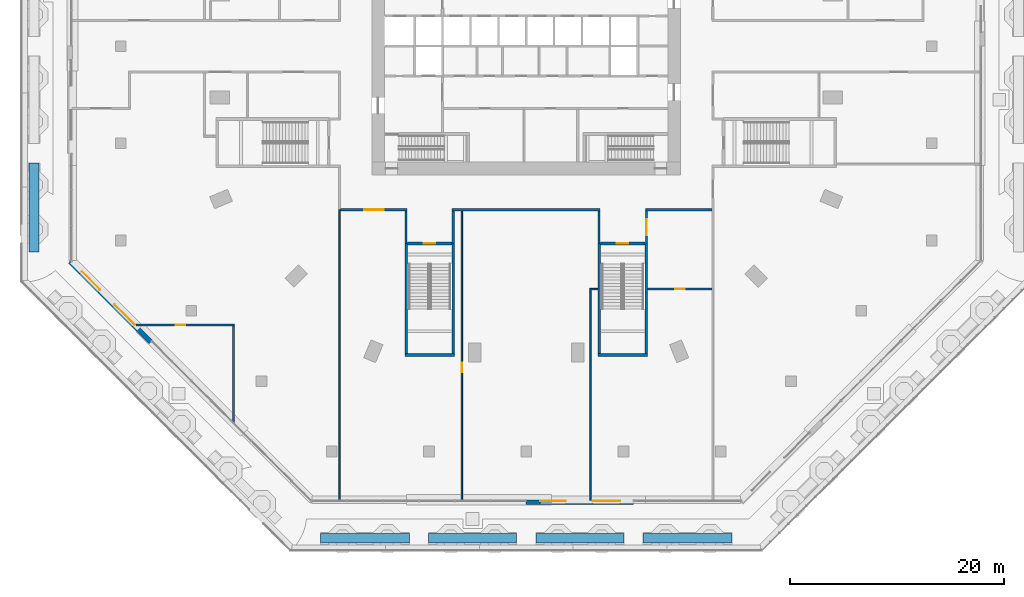
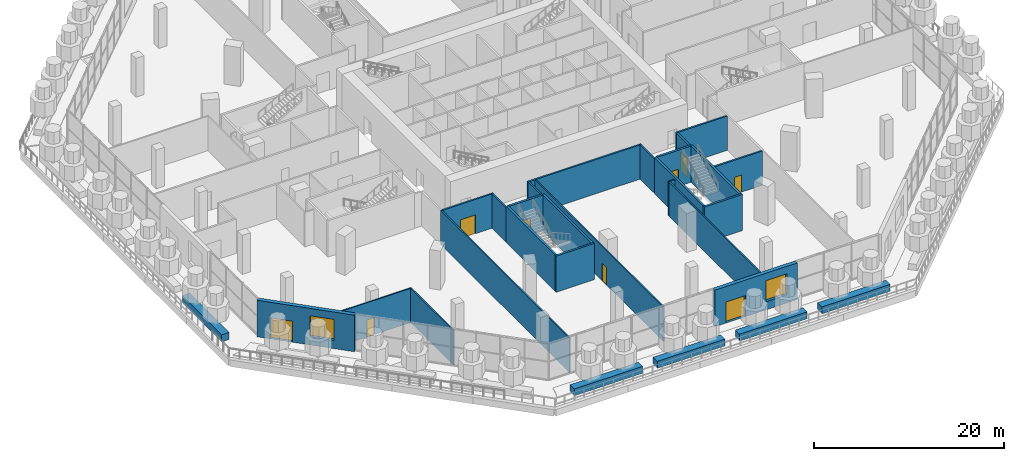
# One storey, part 21 of 32: 29 walls, 9 doors, 2 windows, 11 openings.
"""IFC4 building model written with IfcOpenShell, lengths in metres."""

from ifc_helpers import new_model, si_unit, direction, frame, frame_2d, origin, place, context, subcontext, project, spatial, rectangle, extrude, material, layer, layer_set, type_object, element, fill, save


model = new_model("IFC4")

# Units and contexts
model_context = context("Model", 3, precision=1e-05, world=origin(), true_north=direction((0.0, 1.0)))
body_context = subcontext(model_context, "Body", "Model", "MODEL_VIEW")
ifc_project = project(units=[si_unit("LENGTHUNIT", "METRE"), si_unit("AREAUNIT", "SQUARE_METRE"), si_unit("VOLUMEUNIT", "CUBIC_METRE"), si_unit("PLANEANGLEUNIT", "RADIAN"), si_unit("MASSUNIT", "GRAM", prefix="KILO")], contexts=[model_context])

# Site, building, storey
site_placement = place(None, origin())
site = spatial("IfcSite", under=ifc_project, at=site_placement, CompositionType="ELEMENT")
building_placement = place(site_placement, origin())
building = spatial("IfcBuilding", under=site, at=building_placement, Name="Msitu Wima Residences", CompositionType="ELEMENT")
storey_placement = place(building_placement, frame((0.0, 0.0, 6.0)))
storey = spatial("IfcBuildingStorey", under=building, at=storey_placement, Name="L01", CompositionType="ELEMENT", Elevation=6.0)

# Wall, openings, door, window
ifc_material_1 = material(Name="Brick (red buff mix), cavity wall of two leaves", Category="masonry")
ifc_layer_1 = layer(ifc_material_1, 0.449951171875)
ifc_layer_set_1 = layer_set([ifc_layer_1], Name="Brick (red buff mix), cavity wall of two leaves")
wall_type_1 = type_object("IfcWallType", Name="Brick infill wall BW450 podium", PredefinedType="ELEMENTEDWALL", material=ifc_layer_set_1)
wall_1_placement = place(storey_placement, frame((-42.52490234375, -20.0849609375, 0.0), z_axis=(0.0, 0.0, 1.0), x_axis=(0.707106781187, -0.707106781187, 0.0)))
wall_1 = element("IfcWall", 1, at=wall_1_placement, inside=storey, type_object=wall_type_1, Name="Brick infill wall L01 SW0", PredefinedType="ELEMENTEDWALL", context=body_context, shape_type="SweptSolid", body=[
    extrude(rectangle(XDim=10.609375, YDim=0.449951171875, at=frame_2d((5.3046875, 0.0))), origin(), (0.0, 0.0, 1.0), 4.699951171875),
])
opening_1_placement = place(wall_1_placement, frame((1.452392578125, 0.0, 0.0)))
opening_1 = element("IfcOpeningElement", 2, at=opening_1_placement, cuts=wall_1, Name="Opening D01.007", PredefinedType="OPENING", context=body_context, shape_type="SweptSolid", body=[
    extrude(rectangle(XDim=2.39990234375, YDim=2.699951171875, at=frame_2d((1.199951171875, 1.35009765625))), frame((0.0, 0.23486328125, 0.0), z_axis=(0.0, -1.0, 0.0), x_axis=(1.0, 0.0, 0.0)), (0.0, 0.0, 1.0), 0.469970703125),
])
opening_2_placement = place(wall_1_placement, frame((5.754638671875, 0.0, 1.050048828125)))
opening_2 = element("IfcOpeningElement", 3, at=opening_2_placement, cuts=wall_1, Name="Opening W01.007", PredefinedType="OPENING", context=body_context, shape_type="SweptSolid", body=[
    extrude(rectangle(XDim=2.639892578125, YDim=2.699951171875, at=frame_2d((1.31982421875, 1.35009765625))), frame((0.0, 0.23486328125, 0.0), z_axis=(0.0, -1.0, 0.0), x_axis=(1.0, 0.0, 0.0)), (0.0, 0.0, 1.0), 0.469970703125),
])
ifc_material_2 = material(Name="Anodised aluminium, bronze finish, clear low-emissivity double glazing", Category="aluminium")
door_type_1 = type_object("IfcDoorType", Name="Balcony door D2400x2700", OperationType="SLIDING_TO_LEFT", PredefinedType="DOOR", material=ifc_material_2)
door_1_placement = place(opening_1_placement, origin())
door_1 = element("IfcDoor", 4, at=door_1_placement, inside=storey, type_object=door_type_1, Name="Terrace door L01 SW0", OperationType="SINGLE_SWING_LEFT", OverallHeight=2.699951171875, OverallWidth=2.39990234375, PredefinedType="DOOR", context=body_context, shape_type="SweptSolid", body=[
    extrude(rectangle(XDim=2.39990234375, YDim=2.699951171875, at=frame_2d((1.199951171875, 1.35009765625))), frame((0.0, 0.1298828125, 0.0), z_axis=(0.0, -1.0, 0.0), x_axis=(1.0, 0.0, 0.0)), (0.0, 0.0, 1.0), 0.050048828125),
])
fill(opening_1, door_1)
window_type_1 = type_object("IfcWindowType", Name="Window W2640x2700", PartitioningType="DOUBLE_PANEL_VERTICAL", PredefinedType="WINDOW", material=ifc_material_2)
window_1_placement = place(opening_2_placement, origin())
window_1 = element("IfcWindow", 5, at=window_1_placement, inside=storey, type_object=window_type_1, Name="Window L01 SW0.2a", OverallHeight=2.699951171875, OverallWidth=2.639892578125, PartitioningType="SINGLE_PANEL", PredefinedType="WINDOW", context=body_context, shape_type="SweptSolid", body=[
    extrude(rectangle(XDim=2.639892578125, YDim=2.699951171875, at=frame_2d((1.31982421875, 1.35009765625))), frame((0.0, 0.135009765625, 0.0), z_axis=(0.0, -1.0, 0.0), x_axis=(1.0, 0.0, 0.0)), (0.0, 0.0, 1.0), 0.06005859375),
])
fill(opening_2, window_1)

wall_2_placement = place(storey_placement, frame((0.0, -42.52490234375, 0.0), z_axis=(0.0, 0.0, 1.0), x_axis=(1.0, 0.0, 0.0)))
wall_2 = element("IfcWall", 6, at=wall_2_placement, inside=storey, type_object=wall_type_1, Name="Brick infill wall L01 S2", PredefinedType="ELEMENTEDWALL", context=body_context, shape_type="SweptSolid", body=[
    extrude(rectangle(XDim=9.995849609375, YDim=0.449951171875, at=frame_2d((4.998046875, 0.0))), origin(), (0.0, 0.0, 1.0), 4.699951171875),
])
opening_3_placement = place(wall_2_placement, frame((1.299072265625, 0.0, 0.0)))
opening_3 = element("IfcOpeningElement", 7, at=opening_3_placement, cuts=wall_2, Name="Opening D01.005", PredefinedType="OPENING", context=body_context, shape_type="SweptSolid", body=[
    extrude(rectangle(XDim=2.39990234375, YDim=2.699951171875, at=frame_2d((1.199951171875, 1.35009765625))), frame((0.0, 0.23486328125, 0.0), z_axis=(0.0, -1.0, 0.0), x_axis=(1.0, 0.0, 0.0)), (0.0, 0.0, 1.0), 0.469970703125),
])
opening_4_placement = place(wall_2_placement, frame((6.2001953125, 0.0, 1.050048828125)))
opening_4 = element("IfcOpeningElement", 8, at=opening_4_placement, cuts=wall_2, Name="Opening W01.005", PredefinedType="OPENING", context=body_context, shape_type="SweptSolid", body=[
    extrude(rectangle(XDim=2.550048828125, YDim=2.699951171875, at=frame_2d((1.27490234375, 1.35009765625))), frame((0.0, 0.23486328125, 0.0), z_axis=(0.0, -1.0, 0.0), x_axis=(1.0, 0.0, 0.0)), (0.0, 0.0, 1.0), 0.469970703125),
])
door_2_placement = place(opening_3_placement, origin())
door_2 = element("IfcDoor", 9, at=door_2_placement, inside=storey, type_object=door_type_1, Name="Terrace door L01 S2", OperationType="SINGLE_SWING_LEFT", OverallHeight=2.699951171875, OverallWidth=2.39990234375, PredefinedType="DOOR", context=body_context, shape_type="SweptSolid", body=[
    extrude(rectangle(XDim=2.39990234375, YDim=2.699951171875, at=frame_2d((1.199951171875, 1.35009765625))), frame((0.0, 0.1298828125, 0.0), z_axis=(0.0, -1.0, 0.0), x_axis=(1.0, 0.0, 0.0)), (0.0, 0.0, 1.0), 0.050048828125),
])
fill(opening_3, door_2)
window_type_2 = type_object("IfcWindowType", Name="Window W2550x2700", PartitioningType="DOUBLE_PANEL_VERTICAL", PredefinedType="WINDOW", material=ifc_material_2)
window_2_placement = place(opening_4_placement, origin())
window_2 = element("IfcWindow", 10, at=window_2_placement, inside=storey, type_object=window_type_2, Name="Window L01 S2.2b", OverallHeight=2.699951171875, OverallWidth=2.550048828125, PartitioningType="SINGLE_PANEL", PredefinedType="WINDOW", context=body_context, shape_type="SweptSolid", body=[
    extrude(rectangle(XDim=2.550048828125, YDim=2.699951171875, at=frame_2d((1.27490234375, 1.35009765625))), frame((0.0, 0.135009765625, 0.0), z_axis=(0.0, -1.0, 0.0), x_axis=(1.0, 0.0, 0.0)), (0.0, 0.0, 1.0), 0.06005859375),
])
fill(opening_4, window_2)

# Wall, opening, door
ifc_material_3 = material(Name="Plaster")
ifc_layer_2 = layer(ifc_material_3, 0.011962890625, Name="Plaster")
ifc_material_4 = material(Name="Concrete blockwork", Category="masonry")
ifc_layer_3 = layer(ifc_material_4, 0.176025390625, Name="Concrete blockwork")
ifc_layer_4 = layer(ifc_material_3, 0.011962890625, Name="Plaster")
ifc_layer_set_2 = layer_set([ifc_layer_2, ifc_layer_3, ifc_layer_4], Name="Concrete blockwork")
wall_type_2 = type_object("IfcWallType", Name="Corridor wall FW200", PredefinedType="PARTITIONING", material=ifc_layer_set_2)
wall_3_placement = place(storey_placement, frame((-17.300048828125, -15.2568359375, 0.0), z_axis=(0.0, 0.0, 1.0), x_axis=(1.0, 0.0, 0.0)))
wall_3 = element("IfcWall", 11, at=wall_3_placement, inside=storey, type_object=wall_type_2, Name="Corridor wall", PredefinedType="PARTITIONING", context=body_context, shape_type="SweptSolid", body=[
    extrude(rectangle(XDim=6.199951171875, YDim=0.199951171875, at=frame_2d((3.10009765625, 0.0))), origin(), (0.0, 0.0, 1.0), 4.39990234375),
])
opening_5_placement = place(wall_3_placement, frame((2.199951171875, 0.0, 0.0)))
opening_5 = element("IfcOpeningElement", 12, at=opening_5_placement, cuts=wall_3, Name="Opening D01.046", PredefinedType="OPENING", context=body_context, shape_type="SweptSolid", body=[
    extrude(rectangle(XDim=1.800048828125, YDim=2.39990234375, at=frame_2d((0.89990234375, 1.199951171875))), frame((0.0, 0.10986328125, 0.0), z_axis=(0.0, -1.0, 0.0), x_axis=(1.0, 0.0, 0.0)), (0.0, 0.0, 1.0), 0.219970703125),
])
ifc_material_5 = material(Name="Glazed aluminium door", Category="aluminium")
door_type_2 = type_object("IfcDoorType", Name="Shopfront door D11 1800x2400", OperationType="DOUBLE_DOOR_SINGLE_SWING", PredefinedType="DOOR", material=ifc_material_5)
door_3_placement = place(opening_5_placement, origin())
door_3 = element("IfcDoor", 13, at=door_3_placement, inside=storey, type_object=door_type_2, Name="Shopfront door", OperationType="DOUBLE_DOOR_SINGLE_SWING", OverallHeight=2.39990234375, OverallWidth=1.800048828125, PredefinedType="DOOR", context=body_context, shape_type="SweptSolid", body=[
    extrude(rectangle(XDim=1.800048828125, YDim=2.39990234375, at=frame_2d((0.89990234375, 1.199951171875))), frame((0.0, 0.02490234375, 0.0), z_axis=(0.0, -1.0, 0.0), x_axis=(1.0, 0.0, 0.0)), (0.0, 0.0, 1.0), 0.050048828125),
])
fill(opening_5, door_3)

# Walls
for number, where, z_axis, x_axis, name in (
    (14, (-11.199951171875, -18.39990234375, 0.0), (0.0, 0.0, 1.0), (0.0, 1.0, 0.0), "Corridor wall"),
    (15, (-6.800048828125, -18.39990234375, 0.0), (0.0, 0.0, 1.0), (0.0, 1.0, 0.0), "Corridor wall"),
):
    element("IfcWall", number, at=place(storey_placement, frame(where, z_axis=z_axis, x_axis=x_axis)), inside=storey, type_object=wall_type_2, Name=name, PredefinedType="PARTITIONING", context=body_context, shape_type="SweptSolid", body=[
        extrude(rectangle(XDim=3.043212890625, YDim=0.199951171875, at=frame_2d((1.521484375, 0.0))), origin(), (0.0, 0.0, 1.0), 4.39990234375),
    ])
wall_4_placement = place(storey_placement, frame((-6.89990234375, -15.2568359375, 0.0), z_axis=(0.0, 0.0, 1.0), x_axis=(1.0, 0.0, 0.0)))
element("IfcWall", 16, at=wall_4_placement, inside=storey, type_object=wall_type_2, Name="Corridor wall", PredefinedType="PARTITIONING", context=body_context, shape_type="SweptSolid", body=[
    extrude(rectangle(XDim=13.7998046875, YDim=0.199951171875, at=frame_2d((6.89990234375, 0.0))), origin(), (0.0, 0.0, 1.0), 4.39990234375),
])
wall_5_placement = place(storey_placement, frame((6.800048828125, -18.39990234375, 0.0), z_axis=(0.0, 0.0, 1.0), x_axis=(0.0, 1.0, 0.0)))
element("IfcWall", 17, at=wall_5_placement, inside=storey, type_object=wall_type_2, Name="Corridor wall", PredefinedType="PARTITIONING", context=body_context, shape_type="SweptSolid", body=[
    extrude(rectangle(XDim=3.043212890625, YDim=0.199951171875, at=frame_2d((1.521484375, 0.0))), origin(), (0.0, 0.0, 1.0), 4.39990234375),
])

# Wall, opening, door
wall_6_placement = place(storey_placement, frame((11.324951171875, -22.65576171875, 0.0), z_axis=(0.0, 0.0, 1.0), x_axis=(1.0, 0.0, 0.0)))
wall_6 = element("IfcWall", 18, at=wall_6_placement, inside=storey, type_object=wall_type_2, Name="Corridor wall", PredefinedType="PARTITIONING", context=body_context, shape_type="SweptSolid", body=[
    extrude(rectangle(XDim=5.97509765625, YDim=0.199951171875, at=frame_2d((2.987548828125, 0.0))), origin(), (0.0, 0.0, 1.0), 4.39990234375),
])
opening_6_placement = place(wall_6_placement, frame((2.550048828125, 0.0, 0.0)))
opening_6 = element("IfcOpeningElement", 19, at=opening_6_placement, cuts=wall_6, Name="Opening D01.049", PredefinedType="OPENING", context=body_context, shape_type="SweptSolid", body=[
    extrude(rectangle(XDim=0.89990234375, YDim=2.199951171875, at=frame_2d((0.449951171875, 1.10009765625))), frame((0.0, 0.10986328125, 0.0), z_axis=(0.0, -1.0, 0.0), x_axis=(1.0, 0.0, 0.0)), (0.0, 0.0, 1.0), 0.219970703125),
])
ifc_material_6 = material(Name="Timber flush door", Category="wood")
door_type_3 = type_object("IfcDoorType", Name="Service door D05 900x2200", OperationType="SINGLE_SWING_LEFT", PredefinedType="DOOR", material=ifc_material_6)
door_4_placement = place(opening_6_placement, origin())
door_4 = element("IfcDoor", 20, at=door_4_placement, inside=storey, type_object=door_type_3, Name="Service door", OperationType="SINGLE_SWING_LEFT", OverallHeight=2.199951171875, OverallWidth=0.89990234375, PredefinedType="DOOR", context=body_context, shape_type="SweptSolid", body=[
    extrude(rectangle(XDim=0.89990234375, YDim=2.199951171875, at=frame_2d((0.449951171875, 1.10009765625))), frame((0.0, 0.02490234375, 0.0), z_axis=(0.0, -1.0, 0.0), x_axis=(1.0, 0.0, 0.0)), (0.0, 0.0, 1.0), 0.050048828125),
])
fill(opening_6, door_4)

wall_7_placement = place(storey_placement, frame((11.199951171875, -18.39990234375, 0.0), z_axis=(0.0, 0.0, 1.0), x_axis=(0.0, 1.0, 0.0)))
wall_7 = element("IfcWall", 21, at=wall_7_placement, inside=storey, type_object=wall_type_2, Name="Corridor wall", PredefinedType="PARTITIONING", context=body_context, shape_type="SweptSolid", body=[
    extrude(rectangle(XDim=3.043212890625, YDim=0.199951171875, at=frame_2d((1.521484375, 0.0))), origin(), (0.0, 0.0, 1.0), 4.39990234375),
])
opening_7_placement = place(wall_7_placement, frame((0.75, 0.0, 0.0)))
opening_7 = element("IfcOpeningElement", 22, at=opening_7_placement, cuts=wall_7, Name="Opening D01.048", PredefinedType="OPENING", context=body_context, shape_type="SweptSolid", body=[
    extrude(rectangle(XDim=1.5, YDim=2.39990234375, at=frame_2d((0.75, 1.199951171875))), frame((0.0, 0.10986328125, 0.0), z_axis=(0.0, -1.0, 0.0), x_axis=(1.0, 0.0, 0.0)), (0.0, 0.0, 1.0), 0.219970703125),
])
ifc_material_7 = material(Name="Steel framed glazed door, fire resisting", Category="steel")
door_type_4 = type_object("IfcDoorType", Name="Lobby door D07 1500x2400", OperationType="DOUBLE_DOOR_SINGLE_SWING", PredefinedType="DOOR", material=ifc_material_7)
door_5_placement = place(opening_7_placement, origin())
door_5 = element("IfcDoor", 23, at=door_5_placement, inside=storey, type_object=door_type_4, Name="Lobby door", OperationType="DOUBLE_DOOR_SINGLE_SWING", OverallHeight=2.39990234375, OverallWidth=1.5, PredefinedType="DOOR", context=body_context, shape_type="SweptSolid", body=[
    extrude(rectangle(XDim=1.5, YDim=2.39990234375, at=frame_2d((0.75, 1.199951171875))), frame((0.0, 0.02490234375, 0.0), z_axis=(0.0, -1.0, 0.0), x_axis=(1.0, 0.0, 0.0)), (0.0, 0.0, 1.0), 0.050048828125),
])
fill(opening_7, door_5)

# Wall
wall_8_placement = place(storey_placement, frame((11.10009765625, -15.2568359375, 0.0), z_axis=(0.0, 0.0, 1.0), x_axis=(1.0, 0.0, 0.0)))
element("IfcWall", 24, at=wall_8_placement, inside=storey, type_object=wall_type_2, Name="Corridor wall", PredefinedType="PARTITIONING", context=body_context, shape_type="SweptSolid", body=[
    extrude(rectangle(XDim=6.199951171875, YDim=0.199951171875, at=frame_2d((3.10009765625, 0.0))), origin(), (0.0, 0.0, 1.0), 4.39990234375),
])

# Wall, opening, door
ifc_layer_5 = layer(ifc_material_3, 0.011962890625, Name="Plaster")
ifc_layer_6 = layer(ifc_material_4, 0.1259765625, Name="Concrete blockwork")
ifc_layer_7 = layer(ifc_material_3, 0.011962890625, Name="Plaster")
ifc_layer_set_3 = layer_set([ifc_layer_5, ifc_layer_6, ifc_layer_7], Name="Concrete blockwork")
wall_type_3 = type_object("IfcWallType", Name="Partition PW150", PredefinedType="PARTITIONING", material=ifc_layer_set_3)
wall_9_placement = place(storey_placement, frame((-36.36962890625, -26.0, 0.0), z_axis=(0.0, 0.0, 1.0), x_axis=(1.0, 0.0, 0.0)))
wall_9 = element("IfcWall", 25, at=wall_9_placement, inside=storey, type_object=wall_type_3, Name="Partition", PredefinedType="PARTITIONING", context=body_context, shape_type="SweptSolid", body=[
    extrude(rectangle(XDim=9.15283203125, YDim=0.14990234375, at=frame_2d((4.576416015625, 0.0))), origin(), (0.0, 0.0, 1.0), 4.39990234375),
])
opening_8_placement = place(wall_9_placement, frame((3.699951171875, 0.0, 0.0)))
opening_8 = element("IfcOpeningElement", 26, at=opening_8_placement, cuts=wall_9, Name="Opening D01.031", PredefinedType="OPENING", context=body_context, shape_type="SweptSolid", body=[
    extrude(rectangle(XDim=0.89990234375, YDim=2.199951171875, at=frame_2d((0.449951171875, 1.10009765625))), frame((0.0, 0.0849609375, 0.0), z_axis=(0.0, -1.0, 0.0), x_axis=(1.0, 0.0, 0.0)), (0.0, 0.0, 1.0), 0.169921875),
])
door_6_placement = place(opening_8_placement, origin())
door_6 = element("IfcDoor", 27, at=door_6_placement, inside=storey, type_object=door_type_3, Name="Service door", OperationType="SINGLE_SWING_RIGHT", OverallHeight=2.199951171875, OverallWidth=0.89990234375, PredefinedType="DOOR", context=body_context, shape_type="SweptSolid", body=[
    extrude(rectangle(XDim=0.89990234375, YDim=2.199951171875, at=frame_2d((0.449951171875, 1.10009765625))), frame((0.0, 0.02490234375, 0.0), z_axis=(0.0, -1.0, 0.0), x_axis=(1.0, 0.0, 0.0)), (0.0, 0.0, 1.0), 0.050048828125),
])
fill(opening_8, door_6)

# Walls
wall_10_placement = place(storey_placement, frame((-27.2919921875, -35.077880859375, 0.0), z_axis=(0.0, 0.0, 1.0), x_axis=(0.0, 1.0, 0.0)))
element("IfcWall", 28, at=wall_10_placement, inside=storey, type_object=wall_type_3, Name="Partition", PredefinedType="PARTITIONING", context=body_context, shape_type="SweptSolid", body=[
    extrude(rectangle(XDim=9.0029296875, YDim=0.14990234375, at=frame_2d((4.50146484375, 0.0))), origin(), (0.0, 0.0, 1.0), 4.39990234375),
])
wall_11_placement = place(storey_placement, frame((-17.39990234375, -42.35498046875, 0.0), z_axis=(0.0, 0.0, 1.0), x_axis=(0.0, 1.0, 0.0)))
element("IfcWall", 29, at=wall_11_placement, inside=storey, type_object=wall_type_3, Name="Partition", PredefinedType="PARTITIONING", context=body_context, shape_type="SweptSolid", body=[
    extrude(rectangle(XDim=27.1181640625, YDim=0.14990234375, at=frame_2d((13.55908203125, 0.0))), origin(), (0.0, 0.0, 1.0), 4.39990234375),
])

# Wall, opening, door
wall_12_placement = place(storey_placement, frame((-6.0, -42.35498046875, 0.0), z_axis=(0.0, 0.0, 1.0), x_axis=(0.0, 1.0, 0.0)))
wall_12 = element("IfcWall", 30, at=wall_12_placement, inside=storey, type_object=wall_type_3, Name="Partition", PredefinedType="PARTITIONING", context=body_context, shape_type="SweptSolid", body=[
    extrude(rectangle(XDim=26.998291015625, YDim=0.14990234375, at=frame_2d((13.4990234375, 0.0))), origin(), (0.0, 0.0, 1.0), 4.39990234375),
])
opening_9_placement = place(wall_12_placement, frame((11.949951171875, 0.0, 0.0)))
opening_9 = element("IfcOpeningElement", 31, at=opening_9_placement, cuts=wall_12, Name="Opening D01.047", PredefinedType="OPENING", context=body_context, shape_type="SweptSolid", body=[
    extrude(rectangle(XDim=0.89990234375, YDim=2.199951171875, at=frame_2d((0.449951171875, 1.10009765625))), frame((0.0, 0.0849609375, 0.0), z_axis=(0.0, -1.0, 0.0), x_axis=(1.0, 0.0, 0.0)), (0.0, 0.0, 1.0), 0.169921875),
])
door_7_placement = place(opening_9_placement, origin())
door_7 = element("IfcDoor", 32, at=door_7_placement, inside=storey, type_object=door_type_3, Name="Service door", OperationType="SINGLE_SWING_RIGHT", OverallHeight=2.199951171875, OverallWidth=0.89990234375, PredefinedType="DOOR", context=body_context, shape_type="SweptSolid", body=[
    extrude(rectangle(XDim=0.89990234375, YDim=2.199951171875, at=frame_2d((0.449951171875, 1.10009765625))), frame((0.0, 0.02490234375, 0.0), z_axis=(0.0, -1.0, 0.0), x_axis=(1.0, 0.0, 0.0)), (0.0, 0.0, 1.0), 0.050048828125),
])
fill(opening_9, door_7)

# Walls
wall_13_placement = place(storey_placement, frame((6.0, -42.35498046875, 0.0), z_axis=(0.0, 0.0, 1.0), x_axis=(0.0, 1.0, 0.0)))
element("IfcWall", 33, at=wall_13_placement, inside=storey, type_object=wall_type_3, Name="Partition", PredefinedType="PARTITIONING", context=body_context, shape_type="SweptSolid", body=[
    extrude(rectangle(XDim=19.623046875, YDim=0.14990234375, at=frame_2d((9.8115234375, 0.0))), origin(), (0.0, 0.0, 1.0), 4.39990234375),
])
wall_14_placement = place(storey_placement, frame((5.926025390625, -22.65576171875, 0.0), z_axis=(0.0, 0.0, 1.0), x_axis=(1.0, 0.0, 0.0)))
element("IfcWall", 34, at=wall_14_placement, inside=storey, type_object=wall_type_3, Name="Partition", PredefinedType="PARTITIONING", context=body_context, shape_type="SweptSolid", body=[
    extrude(rectangle(XDim=0.7490234375, YDim=0.14990234375, at=frame_2d((0.37451171875, 0.0))), origin(), (0.0, 0.0, 1.0), 4.39990234375),
])
ifc_material_8 = material(Name="Concrete C50/60", Category="concrete")
ifc_layer_8 = layer(ifc_material_8, 0.25)
ifc_layer_set_4 = layer_set([ifc_layer_8], Name="Concrete C50/60")
wall_type_4 = type_object("IfcWallType", Name="Stair enclosure wall SW250", PredefinedType="SHEAR", material=ifc_layer_set_4)
wall_15_placement = place(storey_placement, frame((-11.199951171875, -28.675048828125, 0.0), z_axis=(0.0, 0.0, 1.0), x_axis=(0.0, 1.0, 0.0)))
element("IfcWall", 35, at=wall_15_placement, inside=storey, type_object=wall_type_4, Name="Stair enclosure wall", PredefinedType="SHEAR", context=body_context, shape_type="SweptSolid", body=[
    extrude(rectangle(XDim=10.275146484375, YDim=0.25, at=frame_2d((5.1376953125, 0.0))), origin(), (0.0, 0.0, 1.0), 4.64990234375),
])
wall_16_placement = place(storey_placement, frame((-11.324951171875, -28.800048828125, 0.0), z_axis=(0.0, 0.0, 1.0), x_axis=(1.0, 0.0, 0.0)))
element("IfcWall", 36, at=wall_16_placement, inside=storey, type_object=wall_type_4, Name="Stair enclosure wall", PredefinedType="SHEAR", context=body_context, shape_type="SweptSolid", body=[
    extrude(rectangle(XDim=4.64990234375, YDim=0.25, at=frame_2d((2.324951171875, 0.0))), origin(), (0.0, 0.0, 1.0), 4.64990234375),
])

# Wall, opening, door
wall_17_placement = place(storey_placement, frame((-11.074951171875, -18.39990234375, 0.0), z_axis=(0.0, 0.0, 1.0), x_axis=(1.0, 0.0, 0.0)))
wall_17 = element("IfcWall", 37, at=wall_17_placement, inside=storey, type_object=wall_type_4, Name="Stair enclosure wall", PredefinedType="SHEAR", context=body_context, shape_type="SweptSolid", body=[
    extrude(rectangle(XDim=4.14990234375, YDim=0.25, at=frame_2d((2.074951171875, 0.0))), origin(), (0.0, 0.0, 1.0), 4.64990234375),
])
opening_10_placement = place(wall_17_placement, frame((1.5, 0.0, 0.0)))
opening_10 = element("IfcOpeningElement", 38, at=opening_10_placement, cuts=wall_17, Name="Opening D01.058", PredefinedType="OPENING", context=body_context, shape_type="SweptSolid", body=[
    extrude(rectangle(XDim=1.10009765625, YDim=2.199951171875, at=frame_2d((0.550048828125, 1.10009765625))), frame((0.0, 0.135009765625, 0.0), z_axis=(0.0, -1.0, 0.0), x_axis=(1.0, 0.0, 0.0)), (0.0, 0.0, 1.0), 0.27001953125),
])
ifc_material_9 = material(Name="Steel door, fire resisting, panic bar", Category="steel")
door_type_5 = type_object("IfcDoorType", Name="Stair door D13 1100x2200", OperationType="SINGLE_SWING_LEFT", PredefinedType="DOOR", material=ifc_material_9)
door_8_placement = place(opening_10_placement, origin())
door_8 = element("IfcDoor", 39, at=door_8_placement, inside=storey, type_object=door_type_5, Name="Stair door", OperationType="SINGLE_SWING_RIGHT", OverallHeight=2.199951171875, OverallWidth=1.10009765625, PredefinedType="DOOR", context=body_context, shape_type="SweptSolid", body=[
    extrude(rectangle(XDim=1.10009765625, YDim=2.199951171875, at=frame_2d((0.550048828125, 1.10009765625))), frame((0.0, 0.02490234375, 0.0), z_axis=(0.0, -1.0, 0.0), x_axis=(1.0, 0.0, 0.0)), (0.0, 0.0, 1.0), 0.050048828125),
])
fill(opening_10, door_8)

# Walls
for number, where, z_axis, x_axis, name in (
    (40, (-6.800048828125, -28.675048828125, 0.0), (0.0, 0.0, 1.0), (0.0, 1.0, 0.0), "Stair enclosure wall"),
    (41, (6.800048828125, -28.675048828125, 0.0), (0.0, 0.0, 1.0), (0.0, 1.0, 0.0), "Stair enclosure wall"),
):
    element("IfcWall", number, at=place(storey_placement, frame(where, z_axis=z_axis, x_axis=x_axis)), inside=storey, type_object=wall_type_4, Name=name, PredefinedType="SHEAR", context=body_context, shape_type="SweptSolid", body=[
        extrude(rectangle(XDim=10.275146484375, YDim=0.25, at=frame_2d((5.1376953125, 0.0))), origin(), (0.0, 0.0, 1.0), 4.64990234375),
    ])
wall_18_placement = place(storey_placement, frame((6.675048828125, -28.800048828125, 0.0), z_axis=(0.0, 0.0, 1.0), x_axis=(1.0, 0.0, 0.0)))
element("IfcWall", 42, at=wall_18_placement, inside=storey, type_object=wall_type_4, Name="Stair enclosure wall", PredefinedType="SHEAR", context=body_context, shape_type="SweptSolid", body=[
    extrude(rectangle(XDim=4.64990234375, YDim=0.25, at=frame_2d((2.324951171875, 0.0))), origin(), (0.0, 0.0, 1.0), 4.64990234375),
])

# Wall, opening, door
wall_19_placement = place(storey_placement, frame((6.925048828125, -18.39990234375, 0.0), z_axis=(0.0, 0.0, 1.0), x_axis=(1.0, 0.0, 0.0)))
wall_19 = element("IfcWall", 43, at=wall_19_placement, inside=storey, type_object=wall_type_4, Name="Stair enclosure wall", PredefinedType="SHEAR", context=body_context, shape_type="SweptSolid", body=[
    extrude(rectangle(XDim=4.14990234375, YDim=0.25, at=frame_2d((2.074951171875, 0.0))), origin(), (0.0, 0.0, 1.0), 4.64990234375),
])
opening_11_placement = place(wall_19_placement, frame((1.5, 0.0, 0.0)))
opening_11 = element("IfcOpeningElement", 44, at=opening_11_placement, cuts=wall_19, Name="Opening D01.057", PredefinedType="OPENING", context=body_context, shape_type="SweptSolid", body=[
    extrude(rectangle(XDim=1.10009765625, YDim=2.199951171875, at=frame_2d((0.550048828125, 1.10009765625))), frame((0.0, 0.135009765625, 0.0), z_axis=(0.0, -1.0, 0.0), x_axis=(1.0, 0.0, 0.0)), (0.0, 0.0, 1.0), 0.27001953125),
])
door_9_placement = place(opening_11_placement, origin())
door_9 = element("IfcDoor", 45, at=door_9_placement, inside=storey, type_object=door_type_5, Name="Stair door", OperationType="SINGLE_SWING_RIGHT", OverallHeight=2.199951171875, OverallWidth=1.10009765625, PredefinedType="DOOR", context=body_context, shape_type="SweptSolid", body=[
    extrude(rectangle(XDim=1.10009765625, YDim=2.199951171875, at=frame_2d((0.550048828125, 1.10009765625))), frame((0.0, 0.02490234375, 0.0), z_axis=(0.0, -1.0, 0.0), x_axis=(1.0, 0.0, 0.0)), (0.0, 0.0, 1.0), 0.050048828125),
])
fill(opening_11, door_9)

# Walls
wall_20_placement = place(storey_placement, frame((11.199951171875, -28.675048828125, 0.0), z_axis=(0.0, 0.0, 1.0), x_axis=(0.0, 1.0, 0.0)))
element("IfcWall", 46, at=wall_20_placement, inside=storey, type_object=wall_type_4, Name="Stair enclosure wall", PredefinedType="SHEAR", context=body_context, shape_type="SweptSolid", body=[
    extrude(rectangle(XDim=10.275146484375, YDim=0.25, at=frame_2d((5.1376953125, 0.0))), origin(), (0.0, 0.0, 1.0), 4.64990234375),
])
ifc_material_10 = material(Name="Facing brick")
ifc_layer_9 = layer(ifc_material_10, 0.06494140625, Name="Facing brick")
ifc_material_11 = material(Name="Concrete C40/50", Category="concrete")
ifc_layer_10 = layer(ifc_material_11, 0.381103515625, Name="Concrete C40/50")
ifc_material_12 = material(Name="Waterproofing membrane")
ifc_layer_11 = layer(ifc_material_12, 0.00390625, Name="Waterproofing membrane")
ifc_material_13 = material(Name="Planting soil and planting")
ifc_layer_12 = layer(ifc_material_13, 0.449951171875, Name="Planting soil and planting")
ifc_layer_set_5 = layer_set([ifc_layer_9, ifc_layer_10, ifc_layer_11, ifc_layer_12], Name="Concrete C40/50")
wall_type_5 = type_object("IfcWallType", Name="Terrace planter PLANTER PL900", PredefinedType="USERDEFINED", material=ifc_layer_set_5)
for number, where, z_axis, x_axis, name in (
    (47, (-45.89990234375, -10.89599609375, 0.0), (0.0, 0.0, 1.0), (0.0, -1.0, 0.0), "Terrace planter L01 W3"),
    (48, (-19.18505859375, -45.89990234375, 0.0), (0.0, 0.0, 1.0), (1.0, 0.0, 0.0), "Terrace planter L01 S0"),
):
    element("IfcWall", number, at=place(storey_placement, frame(where, z_axis=z_axis, x_axis=x_axis)), inside=storey, type_object=wall_type_5, Name=name, ObjectType="PLANTER", PredefinedType="USERDEFINED", context=body_context, shape_type="SweptSolid", body=[
        extrude(rectangle(XDim=8.2890625, YDim=0.89990234375, at=frame_2d((4.14453125, 0.0))), origin(), (0.0, 0.0, 1.0), 0.89990234375),
    ])
for number, where, z_axis, x_axis, name in (
    (49, (-9.095947265625, -45.89990234375, 0.0), (0.0, 0.0, 1.0), (1.0, 0.0, 0.0), "Terrace planter L01 S1"),
    (50, (0.89990234375, -45.89990234375, 0.0), (0.0, 0.0, 1.0), (1.0, 0.0, 0.0), "Terrace planter L01 S2"),
):
    element("IfcWall", number, at=place(storey_placement, frame(where, z_axis=z_axis, x_axis=x_axis)), inside=storey, type_object=wall_type_5, Name=name, ObjectType="PLANTER", PredefinedType="USERDEFINED", context=body_context, shape_type="SweptSolid", body=[
        extrude(rectangle(XDim=8.196044921875, YDim=0.89990234375, at=frame_2d((4.09814453125, 0.0))), origin(), (0.0, 0.0, 1.0), 0.89990234375),
    ])
wall_21_placement = place(storey_placement, frame((10.89599609375, -45.89990234375, 0.0), z_axis=(0.0, 0.0, 1.0), x_axis=(1.0, 0.0, 0.0)))
element("IfcWall", 51, at=wall_21_placement, inside=storey, type_object=wall_type_5, Name="Terrace planter L01 S3", ObjectType="PLANTER", PredefinedType="USERDEFINED", context=body_context, shape_type="SweptSolid", body=[
    extrude(rectangle(XDim=8.2890625, YDim=0.89990234375, at=frame_2d((4.14453125, 0.0))), origin(), (0.0, 0.0, 1.0), 0.89990234375),
])

save(model, "model.ifc")
